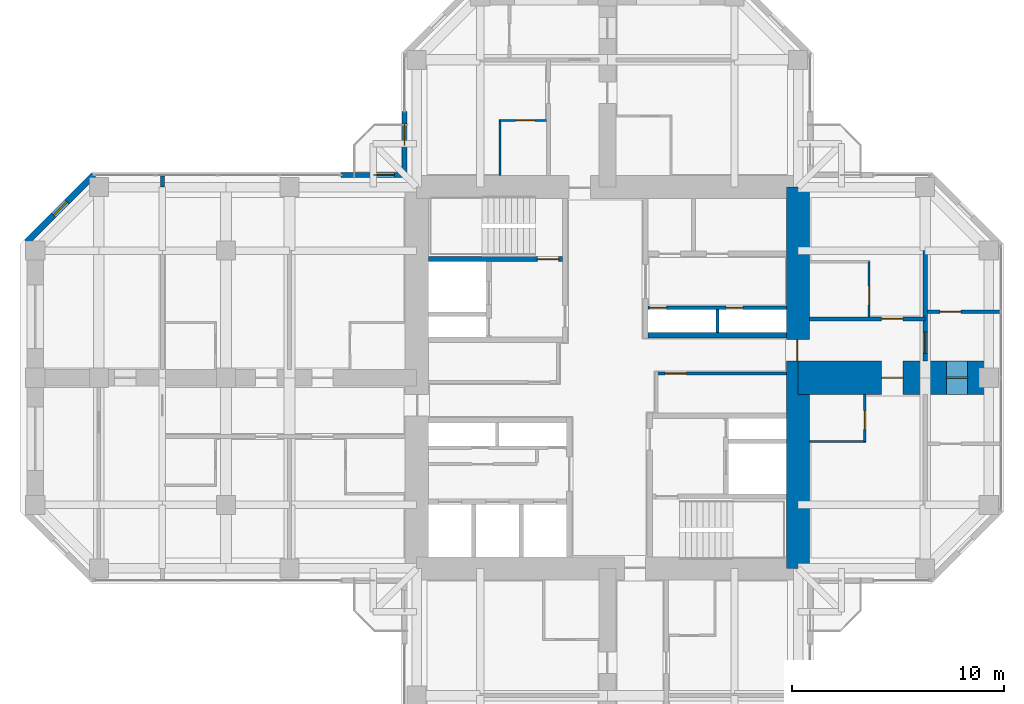
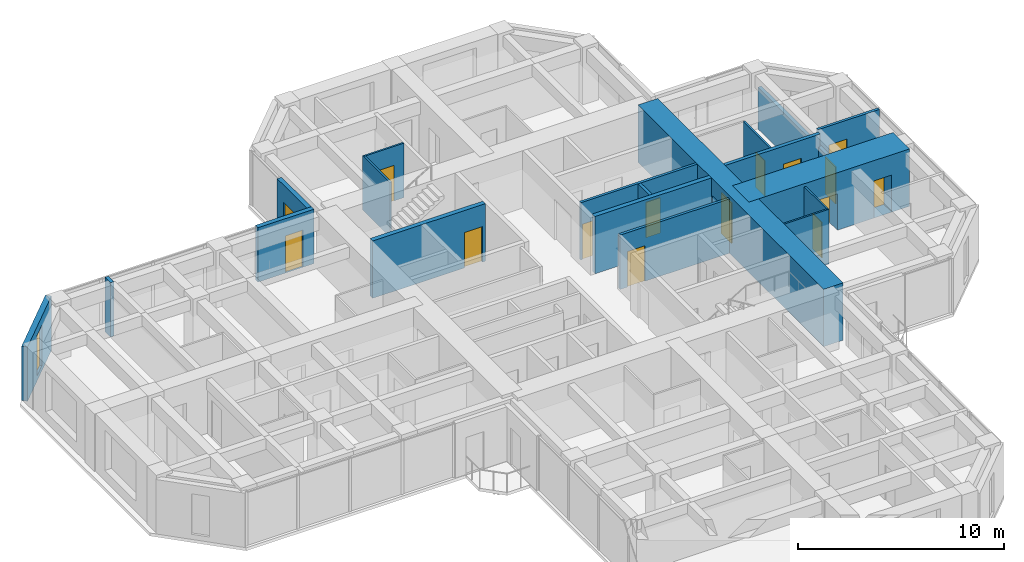
# One storey, part 11 of 14: 19 walls, 15 doors, 1 window, 16 openings.
"""IFC4 building model written with IfcOpenShell, lengths in metres."""

import ifcopenshell
import ifcopenshell.guid

model = None  # the IFC model being written
_history = None  # IfcOwnerHistory: only IFC2X3 demands one
_inside = {}  # id of a spatial element -> (the spatial element, [elements in it])
_under = {}  # id of a project, library or spatial element -> (it, [spatial elements below it])
_declared = {}  # id of a project -> (the project, [libraries it declares])
_typed = {}  # id of a type object -> (the type object, [elements of that type])
_made_of = {}  # id of a material, layer set ... -> (it, [elements and type objects made of it])


def new_model(schema):
    """Start an empty IFC model of exactly this schema.

    Asked for "IFC4X3", IfcOpenShell would pick the latest addendum, in which some entities
    have other attributes; the version numbers below select the first issue.
    IFC2X3 requires an IfcOwnerHistory on every rooted entity: one is made here for all.
    """
    global model, _history
    if schema == "IFC4X3":
        model = ifcopenshell.file(schema_version=(4, 3, 0, 0))
    else:
        model = ifcopenshell.file(schema=schema)
    _inside.clear()
    _under.clear()
    _declared.clear()
    _typed.clear()
    _made_of.clear()
    _history = None
    if model.schema == "IFC2X3":
        org = make("IfcOrganization", Name="unknown")
        user = make(
            "IfcPersonAndOrganization",
            ThePerson=make("IfcPerson", FamilyName="unknown"),
            TheOrganization=org,
        )
        app = make(
            "IfcApplication",
            ApplicationDeveloper=org,
            Version="unknown",
            ApplicationFullName="unknown",
            ApplicationIdentifier="unknown",
        )
        _history = make(
            "IfcOwnerHistory",
            OwningUser=user,
            OwningApplication=app,
            ChangeAction="ADDED",
            CreationDate=0,
        )
    return model


def make(cls, **values):
    """One entity of the class cls with the attributes given. An attribute that is None is left unset."""
    return model.create_entity(
        cls, **{name: value for name, value in values.items() if value is not None}
    )


def rooted(cls, **values):
    """An entity with a GlobalId (a new one), such as an element, a storey or a relation."""
    return make(cls, GlobalId=ifcopenshell.guid.new(), OwnerHistory=_history, **values)


def si_unit(unit_type, name, prefix=None):
    """IfcSIUnit, for example si_unit("LENGTHUNIT", "METRE", prefix="MILLI")."""
    return make("IfcSIUnit", UnitType=unit_type, Prefix=prefix, Name=name)


def assignment(units):
    """IfcUnitAssignment: the units of a project."""
    return None if units is None else make("IfcUnitAssignment", Units=units)


def point(xyz):
    """IfcCartesianPoint."""
    return None if xyz is None else make("IfcCartesianPoint", Coordinates=xyz)


def direction(xyz):
    """IfcDirection."""
    return None if xyz is None else make("IfcDirection", DirectionRatios=xyz)


def frame(location, z_axis=None, x_axis=None):
    """IfcAxis2Placement3D, a coordinate frame: its origin and axes. An axis left out is left unset."""
    return make(
        "IfcAxis2Placement3D",
        Location=point(location),
        Axis=direction(z_axis),
        RefDirection=direction(x_axis),
    )


def frame_2d(location, x_axis=None):
    """IfcAxis2Placement2D, a coordinate frame in the plane: its origin and x axis."""
    return make(
        "IfcAxis2Placement2D", Location=point(location), RefDirection=direction(x_axis)
    )


def origin():
    """The frame at (0, 0, 0) with its axes left unset."""
    return frame((0.0, 0.0, 0.0))


def place(relative_to, where):
    """IfcLocalPlacement: puts the frame where relative to a parent placement (None: the world)."""
    return make(
        "IfcLocalPlacement", PlacementRelTo=relative_to, RelativePlacement=where
    )


def context(
    kind, dimensions, precision=None, world=None, true_north=None, identifier=None
):
    """IfcGeometricRepresentationContext, for example the 3D "Model" context."""
    return make(
        "IfcGeometricRepresentationContext",
        ContextIdentifier=identifier,
        ContextType=kind,
        CoordinateSpaceDimension=dimensions,
        Precision=precision,
        WorldCoordinateSystem=world,
        TrueNorth=true_north,
    )


def subcontext(parent, identifier, kind, view, scale=None):
    """IfcGeometricRepresentationSubContext, for example "Body" below "Model"."""
    return make(
        "IfcGeometricRepresentationSubContext",
        ContextIdentifier=identifier,
        ContextType=kind,
        ParentContext=parent,
        TargetScale=scale,
        TargetView=view,
    )


def project(units=None, contexts=None):
    """IfcProject with its units and contexts."""
    return rooted(
        "IfcProject",
        Name="project",
        RepresentationContexts=contexts,
        UnitsInContext=assignment(units),
    )


def spatial(cls, under=None, at=None, **own):
    """A site, building, storey or space (cls), placed at a placement, below another one or the project."""
    s = rooted(cls, ObjectPlacement=at, **own)
    if under is not None:
        _under.setdefault(under.id(), (under, []))[1].append(s)
    return s


def profile(cls, at=None, kind="AREA", **sizes):
    """A parametric profile (cls). Its sizes go by their IFC names, for example OverallWidth=200.0."""
    return make(cls, ProfileType=kind, Position=at, **sizes)


def rectangle(**sizes):
    """IfcRectangleProfileDef."""
    return profile("IfcRectangleProfileDef", **sizes)


def hollow_rectangle(**sizes):
    """IfcRectangleHollowProfileDef."""
    return profile("IfcRectangleHollowProfileDef", **sizes)


def extrude(swept, where, along, depth):
    """IfcExtrudedAreaSolid: the profile swept, set in the frame where, extruded along a direction by depth."""
    return make(
        "IfcExtrudedAreaSolid",
        SweptArea=swept,
        Position=where,
        ExtrudedDirection=direction(along),
        Depth=depth,
    )


def shape(context_of_items, identifier, shape_type, items):
    """IfcShapeRepresentation: the items that make up one representation, for example the "Body"."""
    return make(
        "IfcShapeRepresentation",
        ContextOfItems=context_of_items,
        RepresentationIdentifier=identifier,
        RepresentationType=shape_type,
        Items=items,
    )


def material(Name=None, Category=None):
    """IfcMaterial."""
    return make("IfcMaterial", Name=Name, Category=Category)


def layer(
    of_material, thickness, ventilated=None, Name=None, Category=None, Priority=None
):
    """IfcMaterialLayer: one layer of a wall or slab, of a material (None: an air gap)."""
    return make(
        "IfcMaterialLayer",
        Material=of_material,
        LayerThickness=thickness,
        IsVentilated=ventilated,
        Name=Name,
        Category=Category,
        Priority=Priority,
    )


def layer_set(layers, Name=None):
    """IfcMaterialLayerSet."""
    return make("IfcMaterialLayerSet", MaterialLayers=layers, LayerSetName=Name)


def constituent(of_material, Name=None, Category=None, fraction=None):
    """IfcMaterialConstituent: one of the materials an element consists of."""
    return make(
        "IfcMaterialConstituent",
        Name=Name,
        Material=of_material,
        Fraction=fraction,
        Category=Category,
    )


def constituent_set(constituents=None, Name=None):
    """IfcMaterialConstituentSet."""
    return make(
        "IfcMaterialConstituentSet", Name=Name, MaterialConstituents=constituents
    )


def made_of(thing, what):
    """Note that an element or type object is made of a material, layer set ...; save() writes the relation."""
    if what is not None:
        _made_of.setdefault(what.id(), (what, []))[1].append(thing)
    return thing


def type_object(cls, material=None, **own):
    """A type object (cls), such as IfcWallType, which elements share."""
    return made_of(rooted(cls, **own), material)


def element(
    cls,
    number,
    at=None,
    inside=None,
    cuts=None,
    type_object=None,
    material=None,
    context=None,
    identifier="Body",
    shape_type=None,
    held_by="IfcProductDefinitionShape",
    body=None,
    shapes=None,
    **own,
):
    """One element of the class cls, such as IfcWall. Its Tag is "e" and its number.

    at: its placement. inside: the storey or other place that contains it. cuts: it is an
    opening in that element (IfcRelVoidsElement). A single representation is given by context,
    identifier, shape_type and body (its items); several are given by shapes. held_by: the class
    of the entity that holds the representations. save() writes the other relations.
    """
    e = rooted(cls, Tag="e%d" % number, ObjectPlacement=at, **own)
    if body is not None:
        shapes = [shape(context, identifier, shape_type, body)]
    if shapes is not None:
        e.Representation = make(held_by, Representations=shapes)
    if inside is not None:
        _inside.setdefault(inside.id(), (inside, []))[1].append(e)
    if cuts is not None:
        rooted(
            "IfcRelVoidsElement", RelatingBuildingElement=cuts, RelatedOpeningElement=e
        )
    if type_object is not None:
        _typed.setdefault(type_object.id(), (type_object, []))[1].append(e)
    return made_of(e, material)


def fill(opening, filler):
    """IfcRelFillsElement: the door or window that sits in an opening."""
    return rooted(
        "IfcRelFillsElement",
        RelatingOpeningElement=opening,
        RelatedBuildingElement=filler,
    )


def aggregate(whole, parts):
    """IfcRelAggregates: a whole, such as a stair, and the parts it consists of."""
    return rooted("IfcRelAggregates", RelatingObject=whole, RelatedObjects=parts)


def save(model, path):
    """Write the relations noted so far, then the file.

    IfcRelAggregates (storeys below a building ...), IfcRelContainedInSpatialStructure (elements
    in a storey), IfcRelDefinesByType, IfcRelAssociatesMaterial and IfcRelDeclares: one each for
    every whole, place, type object, material and project.
    """
    for whole, parts in _under.values():
        aggregate(whole, parts)
    for where, things in _inside.values():
        rooted(
            "IfcRelContainedInSpatialStructure",
            RelatedElements=things,
            RelatingStructure=where,
        )
    for kind, things in _typed.values():
        rooted("IfcRelDefinesByType", RelatedObjects=things, RelatingType=kind)
    for what, things in _made_of.values():
        rooted("IfcRelAssociatesMaterial", RelatedObjects=things, RelatingMaterial=what)
    for by, libraries in _declared.values():
        rooted("IfcRelDeclares", RelatingContext=by, RelatedDefinitions=libraries)
    model.write(path)


model = new_model("IFC4")

# Units and contexts
model_context = context("Model", 3, precision=1e-05, world=origin(), true_north=direction((0.0, 1.0)))
body_context = subcontext(model_context, "Body", "Model", "MODEL_VIEW")
ifc_project = project(units=[si_unit("LENGTHUNIT", "METRE"), si_unit("AREAUNIT", "SQUARE_METRE"), si_unit("VOLUMEUNIT", "CUBIC_METRE"), si_unit("PLANEANGLEUNIT", "RADIAN"), si_unit("MASSUNIT", "GRAM", prefix="KILO")], contexts=[model_context])

# Site, building, storey
site_placement = place(None, origin())
site = spatial("IfcSite", under=ifc_project, at=site_placement, CompositionType="ELEMENT")
building_placement = place(site_placement, origin())
building = spatial("IfcBuilding", under=site, at=building_placement, Name="Torre Cruceta", CompositionType="ELEMENT")
storey_placement = place(building_placement, frame((0.0, 0.0, 172.89990234375)))
storey = spatial("IfcBuildingStorey", under=building, at=storey_placement, Name="L42", CompositionType="ELEMENT", Elevation=172.89990234375)

# Wall
ifc_material_1 = material(Name="Water-resistant plasterboard on steel studs", Category="steel")
ifc_layer_1 = layer(ifc_material_1, 0.10009765625)
ifc_layer_set_1 = layer_set([ifc_layer_1], Name="Water-resistant plasterboard on steel studs")
wall_type_1 = type_object("IfcWallType", Name="BATHROOM WALL 100", PredefinedType="PARTITIONING", material=ifc_layer_set_1)
wall_1_placement = place(storey_placement, frame((-5.074951171875, 9.550048828125, 0.0), z_axis=(0.0, 0.0, 1.0), x_axis=(0.0, 1.0, 0.0)))
element("IfcWall", 1, at=wall_1_placement, inside=storey, type_object=wall_type_1, Name="PT4 L42-N-U1LBB", PredefinedType="PARTITIONING", context=body_context, shape_type="SweptSolid", body=[
    extrude(rectangle(XDim=2.64990234375, YDim=0.10009765625, at=frame_2d((1.324951171875, 0.0))), origin(), (0.0, 0.0, 1.0), 3.22021484375),
])

# Wall, opening, door
wall_2_placement = place(storey_placement, frame((-2.875, 12.14990234375, 0.0), z_axis=(0.0, 0.0, 1.0), x_axis=(-1.0, 0.0, 0.0)))
wall_2 = element("IfcWall", 2, at=wall_2_placement, inside=storey, type_object=wall_type_1, Name="PT4 L42-N-U1LBS", PredefinedType="PARTITIONING", context=body_context, shape_type="SweptSolid", body=[
    extrude(rectangle(XDim=2.199951171875, YDim=0.10009765625, at=frame_2d((1.10009765625, 0.0))), origin(), (0.0, 0.0, 1.0), 3.22021484375),
])
opening_1_placement = place(wall_2_placement, frame((0.550048828125, 0.0, 0.0)))
opening_1 = element("IfcOpeningElement", 3, at=opening_1_placement, cuts=wall_2, Name="Opening D7", PredefinedType="OPENING", context=body_context, shape_type="SweptSolid", body=[
    extrude(rectangle(XDim=0.89990234375, YDim=2.10009765625, at=frame_2d((0.449951171875, 1.050048828125))), frame((0.0, 0.06005859375, 0.0), z_axis=(0.0, -1.0, 0.0), x_axis=(1.0, 0.0, 0.0)), (0.0, 0.0, 1.0), 0.1201171875),
])
ifc_material_2 = material(Name="Timber door", Category="wood")
door_type_1 = type_object("IfcDoorType", Name="BATHROOM DOOR 900X2100", OperationType="SINGLE_SWING_LEFT", PredefinedType="DOOR", material=ifc_material_2)
door_1_placement = place(opening_1_placement, origin())
door_1 = element("IfcDoor", 4, at=door_1_placement, inside=storey, type_object=door_type_1, Name="D7 L42-N-U1LBS-D1", OperationType="SINGLE_SWING_LEFT", OverallHeight=2.10009765625, OverallWidth=0.89990234375, PredefinedType="DOOR", context=body_context, shape_type="SweptSolid", body=[
    extrude(rectangle(XDim=0.89990234375, YDim=2.10009765625, at=frame_2d((0.449951171875, 1.050048828125))), frame((0.0, 0.02490234375, 0.0), z_axis=(0.0, -1.0, 0.0), x_axis=(1.0, 0.0, 0.0)), (0.0, 0.0, 1.0), 0.050048828125),
])
fill(opening_1, door_1)

wall_3_placement = place(storey_placement, frame((12.35009765625, 2.875, 0.0), z_axis=(0.0, 0.0, 1.0), x_axis=(0.0, 1.0, 0.0)))
wall_3 = element("IfcWall", 5, at=wall_3_placement, inside=storey, type_object=wall_type_1, Name="PT4 L42-E-U1LBS", PredefinedType="PARTITIONING", context=body_context, shape_type="SweptSolid", body=[
    extrude(rectangle(XDim=2.60009765625, YDim=0.10009765625, at=frame_2d((1.300048828125, 0.0))), origin(), (0.0, 0.0, 1.0), 3.22021484375),
])
opening_2_placement = place(wall_3_placement, frame((0.550048828125, 0.0, 0.0)))
opening_2 = element("IfcOpeningElement", 6, at=opening_2_placement, cuts=wall_3, Name="Opening D7", PredefinedType="OPENING", context=body_context, shape_type="SweptSolid", body=[
    extrude(rectangle(XDim=0.89990234375, YDim=2.10009765625, at=frame_2d((0.449951171875, 1.050048828125))), frame((0.0, 0.06005859375, 0.0), z_axis=(0.0, -1.0, 0.0), x_axis=(1.0, 0.0, 0.0)), (0.0, 0.0, 1.0), 0.1201171875),
])
door_2_placement = place(opening_2_placement, origin())
door_2 = element("IfcDoor", 7, at=door_2_placement, inside=storey, type_object=door_type_1, Name="D7 L42-E-U1LBS-D1", OperationType="SINGLE_SWING_LEFT", OverallHeight=2.10009765625, OverallWidth=0.89990234375, PredefinedType="DOOR", context=body_context, shape_type="SweptSolid", body=[
    extrude(rectangle(XDim=0.89990234375, YDim=2.10009765625, at=frame_2d((0.449951171875, 1.050048828125))), frame((0.0, 0.02490234375, 0.0), z_axis=(0.0, -1.0, 0.0), x_axis=(1.0, 0.0, 0.0)), (0.0, 0.0, 1.0), 0.050048828125),
])
fill(opening_2, door_2)

# Wall
wall_4_placement = place(storey_placement, frame((9.550048828125, -3.0, 0.0), z_axis=(0.0, 0.0, 1.0), x_axis=(1.0, 0.0, 0.0)))
element("IfcWall", 8, at=wall_4_placement, inside=storey, type_object=wall_type_1, Name="PT4 L42-E-U1RBB", PredefinedType="PARTITIONING", context=body_context, shape_type="SweptSolid", body=[
    extrude(rectangle(XDim=2.64990234375, YDim=0.10009765625, at=frame_2d((1.324951171875, 0.0))), origin(), (0.0, 0.0, 1.0), 3.22021484375),
])

# Wall, opening, door
wall_5_placement = place(storey_placement, frame((12.14990234375, -3.0, 0.0), z_axis=(0.0, 0.0, 1.0), x_axis=(0.0, 1.0, 0.0)))
wall_5 = element("IfcWall", 9, at=wall_5_placement, inside=storey, type_object=wall_type_1, Name="PT4 L42-E-U1RBS", PredefinedType="PARTITIONING", context=body_context, shape_type="SweptSolid", body=[
    extrude(rectangle(XDim=2.199951171875, YDim=0.10009765625, at=frame_2d((1.10009765625, 0.0))), origin(), (0.0, 0.0, 1.0), 3.22021484375),
])
opening_3_placement = place(wall_5_placement, frame((0.550048828125, 0.0, 0.0)))
opening_3 = element("IfcOpeningElement", 10, at=opening_3_placement, cuts=wall_5, Name="Opening D7", PredefinedType="OPENING", context=body_context, shape_type="SweptSolid", body=[
    extrude(rectangle(XDim=0.89990234375, YDim=2.10009765625, at=frame_2d((0.449951171875, 1.050048828125))), frame((0.0, 0.06005859375, 0.0), z_axis=(0.0, -1.0, 0.0), x_axis=(1.0, 0.0, 0.0)), (0.0, 0.0, 1.0), 0.1201171875),
])
door_3_placement = place(opening_3_placement, origin())
door_3 = element("IfcDoor", 11, at=door_3_placement, inside=storey, type_object=door_type_1, Name="D7 L42-E-U1RBS-D1", OperationType="SINGLE_SWING_LEFT", OverallHeight=2.10009765625, OverallWidth=0.89990234375, PredefinedType="DOOR", context=body_context, shape_type="SweptSolid", body=[
    extrude(rectangle(XDim=0.89990234375, YDim=2.10009765625, at=frame_2d((0.449951171875, 1.050048828125))), frame((0.0, 0.02490234375, 0.0), z_axis=(0.0, -1.0, 0.0), x_axis=(1.0, 0.0, 0.0)), (0.0, 0.0, 1.0), 0.050048828125),
])
fill(opening_3, door_3)

# Wall
ifc_material_3 = material(Name="Concrete G60 (fck 60 MPa)", Category="concrete")
ifc_layer_2 = layer(ifc_material_3, 0.25)
ifc_layer_set_2 = layer_set([ifc_layer_2], Name="Concrete G60 (fck 60 MPa)")
wall_type_2 = type_object("IfcWallType", Name="CORE INNER WALL 250 G60", PredefinedType="SHEAR", material=ifc_layer_set_2)
wall_6_placement = place(storey_placement, frame((1.925048828125, 2.0, 0.0), z_axis=(0.0, 0.0, 1.0), x_axis=(1.0, 0.0, 0.0)))
element("IfcWall", 12, at=wall_6_placement, inside=storey, type_object=wall_type_2, Name="CW4 L42 NE-CV", PredefinedType="SHEAR", context=body_context, shape_type="SweptSolid", body=[
    extrude(rectangle(XDim=6.52490234375, YDim=0.25, at=frame_2d((3.262451171875, 0.0))), origin(), (0.0, 0.0, 1.0), 3.400146484375),
])

# Wall, opening, door
wall_7_placement = place(storey_placement, frame((-2.125, 5.60009765625, 0.0), z_axis=(0.0, 0.0, 1.0), x_axis=(-1.0, 0.0, 0.0)))
wall_7 = element("IfcWall", 13, at=wall_7_placement, inside=storey, type_object=wall_type_2, Name="CW4 L42 NW-SV", PredefinedType="SHEAR", context=body_context, shape_type="SweptSolid", body=[
    extrude(rectangle(XDim=6.324951171875, YDim=0.25, at=frame_2d((3.16259765625, 0.0))), origin(), (0.0, 0.0, 1.0), 3.400146484375),
])
opening_4_placement = place(wall_7_placement, frame((0.175048828125, 0.0, 0.0)))
opening_4 = element("IfcOpeningElement", 14, at=opening_4_placement, cuts=wall_7, Name="Opening D3", PredefinedType="OPENING", context=body_context, shape_type="SweptSolid", body=[
    extrude(rectangle(XDim=1.0, YDim=2.10009765625, at=frame_2d((0.5, 1.050048828125))), frame((0.0, 0.135009765625, 0.0), z_axis=(0.0, -1.0, 0.0), x_axis=(1.0, 0.0, 0.0)), (0.0, 0.0, 1.0), 0.27001953125),
])
ifc_material_4 = material(Name="Steel DX51D", Category="steel")
ifc_constituent_1 = constituent(ifc_material_4, Name="Leaf and frame")
ifc_material_5 = material(Name="Polyester powder coating", Category="paint")
ifc_constituent_2 = constituent(ifc_material_5, Name="Finish")
ifc_constituent_set_1 = constituent_set(constituents=[ifc_constituent_1, ifc_constituent_2], Name="Steel fire door")
door_type_2 = type_object("IfcDoorType", Name="FIRE DOOR 1000X2100", OperationType="SINGLE_SWING_LEFT", PredefinedType="DOOR", material=ifc_constituent_set_1)
door_4_placement = place(opening_4_placement, frame((1.0, 0.0, 0.0), z_axis=(0.0, 0.0, 1.0), x_axis=(-1.0, 0.0, 0.0)))
door_4 = element("IfcDoor", 15, at=door_4_placement, inside=storey, type_object=door_type_2, Name="D3 L42 NW-STAIR", OperationType="SINGLE_SWING_RIGHT", OverallHeight=2.10009765625, OverallWidth=1.0, PredefinedType="DOOR", context=body_context, shape_type="SweptSolid", body=[
    extrude(rectangle(XDim=1.0, YDim=2.10009765625, at=frame_2d((0.5, 1.050048828125))), frame((0.0, 0.025146484375, 0.0), z_axis=(0.0, -1.0, 0.0), x_axis=(1.0, 0.0, 0.0)), (0.0, 0.0, 1.0), 0.050048828125),
])
fill(opening_4, door_4)

ifc_material_6 = material(Name="Concrete G60 (fck 60 MPa)", Category="concrete")
ifc_layer_3 = layer(ifc_material_6, 1.10009765625)
ifc_layer_set_3 = layer_set([ifc_layer_3], Name="Concrete G60 (fck 60 MPa)")
wall_type_3 = type_object("IfcWallType", Name="CORE WALL 1100 G60", PredefinedType="SHEAR", material=ifc_layer_set_3)
wall_8_placement = place(storey_placement, frame((9.0, -9.0, 0.0), z_axis=(0.0, 0.0, 1.0), x_axis=(0.0, 1.0, 0.0)))
wall_8 = element("IfcWall", 16, at=wall_8_placement, inside=storey, type_object=wall_type_3, Name="CW2 L42 CW-E", PredefinedType="SHEAR", context=body_context, shape_type="SweptSolid", body=[
    extrude(rectangle(XDim=18.0, YDim=1.10009765625, at=frame_2d((9.0, 0.0))), origin(), (0.0, 0.0, 1.0), 3.400146484375),
])
opening_5_placement = place(wall_8_placement, frame((9.800048828125, 0.0, 0.0)))
opening_5 = element("IfcOpeningElement", 17, at=opening_5_placement, cuts=wall_8, Name="Opening D4", PredefinedType="OPENING", context=body_context, shape_type="SweptSolid", body=[
    extrude(rectangle(XDim=1.0, YDim=2.39990234375, at=frame_2d((0.5, 1.199951171875))), frame((0.0, 0.56005859375, 0.0), z_axis=(0.0, -1.0, 0.0), x_axis=(1.0, 0.0, 0.0)), (0.0, 0.0, 1.0), 1.1201171875),
])
ifc_material_7 = material(Name="Steel DX51D", Category="steel")
ifc_constituent_3 = constituent(ifc_material_7, Name="Leaf and frame")
ifc_material_8 = material(Name="Polyester powder coating", Category="paint")
ifc_constituent_4 = constituent(ifc_material_8, Name="Finish")
ifc_constituent_set_2 = constituent_set(constituents=[ifc_constituent_3, ifc_constituent_4], Name="Steel fire door")
door_type_3 = type_object("IfcDoorType", Name="CORE ARM DOOR 1000X2400", OperationType="SINGLE_SWING_RIGHT", PredefinedType="DOOR", material=ifc_constituent_set_2)
door_5_placement = place(opening_5_placement, origin())
door_5 = element("IfcDoor", 18, at=door_5_placement, inside=storey, type_object=door_type_3, Name="D4 L42 CW-E", OperationType="SINGLE_SWING_RIGHT", OverallHeight=2.39990234375, OverallWidth=1.0, PredefinedType="DOOR", context=body_context, shape_type="SweptSolid", body=[
    extrude(rectangle(XDim=1.0, YDim=2.39990234375, at=frame_2d((0.5, 1.199951171875))), frame((0.0, 0.05517578125, 0.0), z_axis=(0.0, -1.0, 0.0), x_axis=(1.0, 0.0, 0.0)), (0.0, 0.0, 1.0), 0.050048828125),
])
fill(opening_5, door_5)

ifc_material_9 = material(Name="Concrete G25 (fck 25 MPa)", Category="concrete")
ifc_layer_4 = layer(ifc_material_9, 0.199951171875)
ifc_layer_set_4 = layer_set([ifc_layer_4], Name="Concrete G25 (fck 25 MPa)")
wall_type_4 = type_object("IfcWallType", Name="CORRIDOR WALL 200", PredefinedType="SOLIDWALL", material=ifc_layer_set_4)
wall_9_placement = place(storey_placement, frame((9.550048828125, 2.77490234375, 0.0), z_axis=(0.0, 0.0, 1.0), x_axis=(1.0, 0.0, 0.0)))
wall_9 = element("IfcWall", 19, at=wall_9_placement, inside=storey, type_object=wall_type_4, Name="PT3 L42-E-CL", PredefinedType="SOLIDWALL", context=body_context, shape_type="SweptSolid", body=[
    extrude(rectangle(XDim=5.449951171875, YDim=0.199951171875, at=frame_2d((2.72509765625, 0.0))), origin(), (0.0, 0.0, 1.0), 3.22021484375),
])
opening_6_placement = place(wall_9_placement, frame((3.39990234375, 0.0, 0.0)))
opening_6 = element("IfcOpeningElement", 20, at=opening_6_placement, cuts=wall_9, Name="Opening D6", PredefinedType="OPENING", context=body_context, shape_type="SweptSolid", body=[
    extrude(rectangle(XDim=1.0, YDim=2.14990234375, at=frame_2d((0.5, 1.074951171875))), frame((0.0, 0.10986328125, 0.0), z_axis=(0.0, -1.0, 0.0), x_axis=(1.0, 0.0, 0.0)), (0.0, 0.0, 1.0), 0.219970703125),
])
ifc_material_10 = material(Name="Timber fire door", Category="wood")
door_type_4 = type_object("IfcDoorType", Name="UNIT ENTRANCE DOOR 1000X2150", OperationType="SINGLE_SWING_LEFT", PredefinedType="DOOR", material=ifc_material_10)
door_6_placement = place(opening_6_placement, origin())
door_6 = element("IfcDoor", 21, at=door_6_placement, inside=storey, type_object=door_type_4, Name="D6 L42-E-CL-D1", OperationType="SINGLE_SWING_LEFT", OverallHeight=2.14990234375, OverallWidth=1.0, PredefinedType="DOOR", context=body_context, shape_type="SweptSolid", body=[
    extrude(rectangle(XDim=1.0, YDim=2.14990234375, at=frame_2d((0.5, 1.074951171875))), frame((0.0, 0.02490234375, 0.0), z_axis=(0.0, -1.0, 0.0), x_axis=(1.0, 0.0, 0.0)), (0.0, 0.0, 1.0), 0.050048828125),
])
fill(opening_6, door_6)

# Wall, opening, window
ifc_material_11 = material(Name="Concrete G30 (fck 30 MPa)", Category="concrete")
ifc_layer_5 = layer(ifc_material_11, 0.300048828125)
ifc_layer_set_5 = layer_set([ifc_layer_5], Name="Concrete G30 (fck 30 MPa)")
wall_type_5 = type_object("IfcWallType", Name="EXPOSED CONCRETE FACADE WALL 300", PredefinedType="SOLIDWALL", material=ifc_layer_set_5)
wall_10_placement = place(storey_placement, frame((-24.236083984375, 9.570068359375, 0.0), z_axis=(0.0, 0.0, 1.0), x_axis=(-0.707079499254, -0.707134062067, 0.0)))
wall_10 = element("IfcWall", 22, at=wall_10_placement, inside=storey, type_object=wall_type_5, Name="EW1 facade wall L42 W chamfer 11", PredefinedType="SOLIDWALL", context=body_context, shape_type="SweptSolid", body=[
    extrude(rectangle(XDim=4.474609375, YDim=0.300048828125, at=frame_2d((2.2373046875, 0.0))), origin(), (0.0, 0.0, 1.0), 3.22021484375),
])
opening_7_placement = place(wall_10_placement, frame((1.787109375, 0.0, 0.300048828125)))
opening_7 = element("IfcOpeningElement", 23, at=opening_7_placement, cuts=wall_10, Name="Opening WN5", PredefinedType="OPENING", context=body_context, shape_type="SweptSolid", body=[
    extrude(rectangle(XDim=0.89990234375, YDim=2.39990234375, at=frame_2d((0.449951171875, 1.199951171875))), frame((0.0, 0.159912109375, 0.0), z_axis=(0.0, -1.0, 0.0), x_axis=(1.0, 0.0, 0.0)), (0.0, 0.0, 1.0), 0.320068359375),
])
ifc_material_12 = material(Name="Aluminium window frame", Category="aluminium")
ifc_constituent_5 = constituent(ifc_material_12, Name="Frame")
ifc_material_13 = material(Name="Laminated insulating glass unit, low-iron clear", Category="glass")
ifc_constituent_6 = constituent(ifc_material_13, Name="Glazing")
ifc_constituent_set_3 = constituent_set(constituents=[ifc_constituent_5, ifc_constituent_6], Name="Aluminium window")
window_type = type_object("IfcWindowType", Name="CHAMFER SLOT WINDOW 900X2400", PartitioningType="SINGLE_PANEL", PredefinedType="WINDOW", material=ifc_constituent_set_3)
window_placement = place(opening_7_placement, origin())
window = element("IfcWindow", 24, at=window_placement, inside=storey, type_object=window_type, Name="WN5 L42 W 1", OverallHeight=2.39990234375, OverallWidth=0.89990234375, PartitioningType="SINGLE_PANEL", PredefinedType="WINDOW", context=body_context, shape_type="SweptSolid", body=[
    extrude(hollow_rectangle(XDim=0.89990234375, YDim=2.39990234375, WallThickness=0.06005859375, at=frame_2d((0.449951171875, 1.199951171875))), frame((0.0, 0.030029296875, 0.0), z_axis=(0.0, -1.0, 0.0), x_axis=(1.0, 0.0, 0.0)), (0.0, 0.0, 1.0), 0.06005859375),
    extrude(rectangle(XDim=0.77880859375, YDim=2.27880859375, at=frame_2d((0.449951171875, 1.199951171875))), frame((0.0, 0.030029296875, 0.0), z_axis=(0.0, -1.0, 0.0), x_axis=(1.0, 0.0, 0.0)), (0.0, 0.0, 1.0), 0.06005859375),
])
fill(opening_7, window)

# Wall, opening, door
ifc_material_14 = material(Name="Plasterboard on steel studs", Category="steel")
ifc_layer_6 = layer(ifc_material_14, 0.14990234375)
ifc_layer_set_6 = layer_set([ifc_layer_6], Name="Plasterboard on steel studs")
wall_type_6 = type_object("IfcWallType", Name="PARTITION 150", PredefinedType="PARTITIONING", material=ifc_layer_set_6)
wall_11_placement = place(storey_placement, frame((2.324951171875, 0.199951171875, 0.0), z_axis=(0.0, 0.0, 1.0), x_axis=(1.0, 0.0, 0.0)))
wall_11 = element("IfcWall", 25, at=wall_11_placement, inside=storey, type_object=wall_type_6, Name="PT1 L42-CORE-LEGE-S-W1", PredefinedType="PARTITIONING", context=body_context, shape_type="SweptSolid", body=[
    extrude(rectangle(XDim=6.125, YDim=0.14990234375, at=frame_2d((3.0625, 0.0))), origin(), (0.0, 0.0, 1.0), 3.22021484375),
])
opening_8_placement = place(wall_11_placement, frame((0.39990234375, 0.0, 0.0)))
opening_8 = element("IfcOpeningElement", 26, at=opening_8_placement, cuts=wall_11, Name="Opening D3", PredefinedType="OPENING", context=body_context, shape_type="SweptSolid", body=[
    extrude(rectangle(XDim=1.0, YDim=2.10009765625, at=frame_2d((0.5, 1.050048828125))), frame((0.0, 0.0849609375, 0.0), z_axis=(0.0, -1.0, 0.0), x_axis=(1.0, 0.0, 0.0)), (0.0, 0.0, 1.0), 0.169921875),
])
door_7_placement = place(opening_8_placement, frame((1.0, 0.0, 0.0), z_axis=(0.0, 0.0, 1.0), x_axis=(-1.0, 0.0, 0.0)))
door_7 = element("IfcDoor", 27, at=door_7_placement, inside=storey, type_object=door_type_2, Name="D3 L42-CORE-LEGE-S-W1-D1", OperationType="SINGLE_SWING_RIGHT", OverallHeight=2.10009765625, OverallWidth=1.0, PredefinedType="DOOR", context=body_context, shape_type="SweptSolid", body=[
    extrude(rectangle(XDim=1.0, YDim=2.10009765625, at=frame_2d((0.5, 1.050048828125))), frame((0.0, 0.025146484375, 0.0), z_axis=(0.0, -1.0, 0.0), x_axis=(1.0, 0.0, 0.0)), (0.0, 0.0, 1.0), 0.050048828125),
])
fill(opening_8, door_7)

wall_12_placement = place(storey_placement, frame((15.10009765625, 3.117919921875, 0.0), z_axis=(0.0, 0.0, 1.0), x_axis=(1.0, 0.0, 0.0)))
wall_12 = element("IfcWall", 28, at=wall_12_placement, inside=storey, type_object=wall_type_6, Name="PT1 L42-E-ENDX", PredefinedType="PARTITIONING", context=body_context, shape_type="SweptSolid", body=[
    extrude(rectangle(XDim=3.429931640625, YDim=0.14990234375, at=frame_2d((1.71484375, 0.0))), origin(), (0.0, 0.0, 1.0), 3.22021484375),
])
opening_9_placement = place(wall_12_placement, frame((0.60009765625, 0.0, 0.0)))
opening_9 = element("IfcOpeningElement", 29, at=opening_9_placement, cuts=wall_12, Name="Opening D3", PredefinedType="OPENING", context=body_context, shape_type="SweptSolid", body=[
    extrude(rectangle(XDim=1.0, YDim=2.10009765625, at=frame_2d((0.5, 1.050048828125))), frame((0.0, 0.0849609375, 0.0), z_axis=(0.0, -1.0, 0.0), x_axis=(1.0, 0.0, 0.0)), (0.0, 0.0, 1.0), 0.169921875),
])
door_8_placement = place(opening_9_placement, frame((1.0, 0.0, 0.0), z_axis=(0.0, 0.0, 1.0), x_axis=(-1.0, 0.0, 0.0)))
door_8 = element("IfcDoor", 30, at=door_8_placement, inside=storey, type_object=door_type_2, Name="D3 L42-E-ENDX-D1", OperationType="SINGLE_SWING_LEFT", OverallHeight=2.10009765625, OverallWidth=1.0, PredefinedType="DOOR", context=body_context, shape_type="SweptSolid", body=[
    extrude(rectangle(XDim=1.0, YDim=2.10009765625, at=frame_2d((0.5, 1.050048828125))), frame((0.0, 0.025146484375, 0.0), z_axis=(0.0, -1.0, 0.0), x_axis=(1.0, 0.0, 0.0)), (0.0, 0.0, 1.0), 0.050048828125),
])
fill(opening_9, door_8)

# Wall, openings, doors
ifc_material_15 = material(Name="Concrete block masonry", Category="masonry")
ifc_layer_7 = layer(ifc_material_15, 0.14990234375)
ifc_layer_set_7 = layer_set([ifc_layer_7], Name="Concrete block masonry")
wall_type_7 = type_object("IfcWallType", Name="RISER WALL 150", PredefinedType="PARTITIONING", material=ifc_layer_set_7)
wall_13_placement = place(storey_placement, frame((1.925048828125, 3.300048828125, 0.0), z_axis=(0.0, 0.0, 1.0), x_axis=(1.0, 0.0, 0.0)))
wall_13 = element("IfcWall", 31, at=wall_13_placement, inside=storey, type_object=wall_type_7, Name="SW7 L42 NE-RV", PredefinedType="PARTITIONING", context=body_context, shape_type="SweptSolid", body=[
    extrude(rectangle(XDim=6.52490234375, YDim=0.14990234375, at=frame_2d((3.262451171875, 0.0))), origin(), (0.0, 0.0, 1.0), 3.400146484375),
])
opening_10_placement = place(wall_13_placement, frame((0.074951171875, 0.0, 0.0)))
opening_10 = element("IfcOpeningElement", 32, at=opening_10_placement, cuts=wall_13, Name="Opening D5", PredefinedType="OPENING", context=body_context, shape_type="SweptSolid", body=[
    extrude(rectangle(XDim=0.800048828125, YDim=2.10009765625, at=frame_2d((0.39990234375, 1.050048828125))), frame((0.0, 0.0849609375, 0.0), z_axis=(0.0, -1.0, 0.0), x_axis=(1.0, 0.0, 0.0)), (0.0, 0.0, 1.0), 0.169921875),
])
opening_11_placement = place(wall_13_placement, frame((3.675048828125, 0.0, 0.0)))
opening_11 = element("IfcOpeningElement", 33, at=opening_11_placement, cuts=wall_13, Name="Opening D5", PredefinedType="OPENING", context=body_context, shape_type="SweptSolid", body=[
    extrude(rectangle(XDim=0.800048828125, YDim=2.10009765625, at=frame_2d((0.39990234375, 1.050048828125))), frame((0.0, 0.0849609375, 0.0), z_axis=(0.0, -1.0, 0.0), x_axis=(1.0, 0.0, 0.0)), (0.0, 0.0, 1.0), 0.169921875),
])
ifc_material_16 = material(Name="Steel DX51D", Category="steel")
ifc_constituent_7 = constituent(ifc_material_16, Name="Leaf and frame")
ifc_material_17 = material(Name="Polyester powder coating", Category="paint")
ifc_constituent_8 = constituent(ifc_material_17, Name="Finish")
ifc_constituent_set_4 = constituent_set(constituents=[ifc_constituent_7, ifc_constituent_8], Name="Steel fire door")
door_type_5 = type_object("IfcDoorType", Name="RISER ACCESS DOOR 800X2100", OperationType="SINGLE_SWING_LEFT", PredefinedType="DOOR", material=ifc_constituent_set_4)
door_9_placement = place(opening_10_placement, frame((0.800048828125, 0.0, 0.0), z_axis=(0.0, 0.0, 1.0), x_axis=(-1.0, 0.0, 0.0)))
door_9 = element("IfcDoor", 34, at=door_9_placement, inside=storey, type_object=door_type_5, Name="D5 L42 NE-RISER1", OperationType="SINGLE_SWING_RIGHT", OverallHeight=2.10009765625, OverallWidth=0.800048828125, PredefinedType="DOOR", context=body_context, shape_type="SweptSolid", body=[
    extrude(rectangle(XDim=0.800048828125, YDim=2.10009765625, at=frame_2d((0.400146484375, 1.050048828125))), frame((0.0, 0.025146484375, 0.0), z_axis=(0.0, -1.0, 0.0), x_axis=(1.0, 0.0, 0.0)), (0.0, 0.0, 1.0), 0.050048828125),
])
fill(opening_10, door_9)
door_10_placement = place(opening_11_placement, frame((0.800048828125, 0.0, 0.0), z_axis=(0.0, 0.0, 1.0), x_axis=(-1.0, 0.0, 0.0)))
door_10 = element("IfcDoor", 35, at=door_10_placement, inside=storey, type_object=door_type_5, Name="D5 L42 NE-RISER2", OperationType="SINGLE_SWING_RIGHT", OverallHeight=2.10009765625, OverallWidth=0.800048828125, PredefinedType="DOOR", context=body_context, shape_type="SweptSolid", body=[
    extrude(rectangle(XDim=0.800048828125, YDim=2.10009765625, at=frame_2d((0.400146484375, 1.050048828125))), frame((0.0, 0.025146484375, 0.0), z_axis=(0.0, -1.0, 0.0), x_axis=(1.0, 0.0, 0.0)), (0.0, 0.0, 1.0), 0.050048828125),
])
fill(opening_11, door_10)

# Wall
wall_14_placement = place(storey_placement, frame((5.199951171875, 2.125, 0.0), z_axis=(0.0, 0.0, 1.0), x_axis=(0.0, 1.0, 0.0)))
element("IfcWall", 36, at=wall_14_placement, inside=storey, type_object=wall_type_7, Name="SW7 L42 NE-RU", PredefinedType="PARTITIONING", context=body_context, shape_type="SweptSolid", body=[
    extrude(rectangle(XDim=1.10009765625, YDim=0.14990234375, at=frame_2d((0.550048828125, 0.0))), origin(), (0.0, 0.0, 1.0), 3.400146484375),
])

# Wall, openings, doors
ifc_material_18 = material(Name="Concrete G60 (fck 60 MPa)", Category="concrete")
ifc_layer_8 = layer(ifc_material_18, 1.60009765625)
ifc_layer_set_8 = layer_set([ifc_layer_8], Name="Concrete G60 (fck 60 MPa)")
wall_type_8 = type_object("IfcWallType", Name="SPINE WALL 1600 G60", PredefinedType="SHEAR", material=ifc_layer_set_8)
wall_15_placement = place(storey_placement, frame((9.0, 0.0, 0.0), z_axis=(0.0, 0.0, 1.0), x_axis=(1.0, 0.0, 0.0)))
wall_15 = element("IfcWall", 37, at=wall_15_placement, inside=storey, type_object=wall_type_8, Name="SW2 spine wall L42 E", PredefinedType="SHEAR", context=body_context, shape_type="SweptSolid", body=[
    extrude(rectangle(XDim=9.0, YDim=1.60009765625, at=frame_2d((4.5, 0.0))), origin(), (0.0, 0.0, 1.0), 3.400146484375),
])
opening_12_placement = place(wall_15_placement, frame((3.949951171875, 0.0, 0.0)))
opening_12 = element("IfcOpeningElement", 38, at=opening_12_placement, cuts=wall_15, Name="Opening D6", PredefinedType="OPENING", context=body_context, shape_type="SweptSolid", body=[
    extrude(rectangle(XDim=1.0, YDim=2.14990234375, at=frame_2d((0.5, 1.074951171875))), frame((0.0, 0.81005859375, 0.0), z_axis=(0.0, -1.0, 0.0), x_axis=(1.0, 0.0, 0.0)), (0.0, 0.0, 1.0), 1.6201171875),
])
opening_13_placement = place(wall_15_placement, frame((7.0, 0.0, 0.0)))
opening_13 = element("IfcOpeningElement", 39, at=opening_13_placement, cuts=wall_15, Name="Opening D14", PredefinedType="OPENING", context=body_context, shape_type="SweptSolid", body=[
    extrude(rectangle(XDim=1.0, YDim=2.199951171875, at=frame_2d((0.5, 1.10009765625))), frame((0.0, 0.81005859375, 0.0), z_axis=(0.0, -1.0, 0.0), x_axis=(1.0, 0.0, 0.0)), (0.0, 0.0, 1.0), 1.6201171875),
])
ifc_material_19 = material(Name="Steel DX51D", Category="steel")
ifc_constituent_9 = constituent(ifc_material_19, Name="Leaf and frame")
ifc_material_20 = material(Name="Polyester powder coating", Category="paint")
ifc_constituent_10 = constituent(ifc_material_20, Name="Finish")
ifc_material_21 = material(Name="Fire-resisting glass", Category="glass")
ifc_constituent_11 = constituent(ifc_material_21, Name="Vision panel")
ifc_constituent_set_5 = constituent_set(constituents=[ifc_constituent_9, ifc_constituent_10, ifc_constituent_11], Name="Steel fire door with vision panel")
door_type_6 = type_object("IfcDoorType", Name="FIRE DOOR VISION PANEL 1000X2200", OperationType="SINGLE_SWING_RIGHT", PredefinedType="DOOR", material=ifc_constituent_set_5)
door_11_placement = place(opening_13_placement, origin())
door_11 = element("IfcDoor", 40, at=door_11_placement, inside=storey, type_object=door_type_6, Name="D14 L42-E-SP2", OperationType="SINGLE_SWING_LEFT", OverallHeight=2.199951171875, OverallWidth=1.0, PredefinedType="DOOR", context=body_context, shape_type="SweptSolid", body=[
    extrude(rectangle(XDim=1.0, YDim=2.199951171875, at=frame_2d((0.5, 1.10009765625))), frame((0.0, 0.02490234375, 0.0), z_axis=(0.0, -1.0, 0.0), x_axis=(1.0, 0.0, 0.0)), (0.0, 0.0, 1.0), 0.050048828125),
])
fill(opening_13, door_11)
door_12_placement = place(opening_12_placement, frame((1.0, 0.0, 0.0), z_axis=(0.0, 0.0, 1.0), x_axis=(-1.0, 0.0, 0.0)))
door_12 = element("IfcDoor", 41, at=door_12_placement, inside=storey, type_object=door_type_4, Name="D6 L42-E-SP1", OperationType="SINGLE_SWING_RIGHT", OverallHeight=2.14990234375, OverallWidth=1.0, PredefinedType="DOOR", context=body_context, shape_type="SweptSolid", body=[
    extrude(rectangle(XDim=1.0, YDim=2.14990234375, at=frame_2d((0.5, 1.074951171875))), frame((0.0, 0.025146484375, 0.0), z_axis=(0.0, -1.0, 0.0), x_axis=(1.0, 0.0, 0.0)), (0.0, 0.0, 1.0), 0.050048828125),
])
fill(opening_12, door_12)

# Wall, opening, door
ifc_material_22 = material(Name="Concrete G25 (fck 25 MPa)", Category="concrete")
ifc_layer_9 = layer(ifc_material_22, 0.199951171875)
ifc_layer_set_9 = layer_set([ifc_layer_9], Name="Concrete G25 (fck 25 MPa)")
wall_type_9 = type_object("IfcWallType", Name="UNIT SEPARATING WALL 200", PredefinedType="SOLIDWALL", material=ifc_layer_set_9)
wall_16_placement = place(storey_placement, frame((15.0, 0.800048828125, 0.0), z_axis=(0.0, 0.0, 1.0), x_axis=(0.0, 1.0, 0.0)))
wall_16 = element("IfcWall", 42, at=wall_16_placement, inside=storey, type_object=wall_type_9, Name="PT2 L42-E-ENDb", PredefinedType="SOLIDWALL", context=body_context, shape_type="SweptSolid", body=[
    extrude(rectangle(XDim=7.75, YDim=0.199951171875, at=frame_2d((3.875, 0.0))), origin(), (0.0, 0.0, 1.0), 2.47021484375),
])
opening_14_placement = place(wall_16_placement, frame((0.35009765625, 0.0, 0.0)))
opening_14 = element("IfcOpeningElement", 43, at=opening_14_placement, cuts=wall_16, Name="Opening D14", PredefinedType="OPENING", context=body_context, shape_type="SweptSolid", body=[
    extrude(rectangle(XDim=1.0, YDim=2.199951171875, at=frame_2d((0.5, 1.10009765625))), frame((0.0, 0.10986328125, 0.0), z_axis=(0.0, -1.0, 0.0), x_axis=(1.0, 0.0, 0.0)), (0.0, 0.0, 1.0), 0.219970703125),
])
door_13_placement = place(opening_14_placement, frame((1.0, 0.0, 0.0), z_axis=(0.0, 0.0, 1.0), x_axis=(-1.0, 0.0, 0.0)))
door_13 = element("IfcDoor", 44, at=door_13_placement, inside=storey, type_object=door_type_6, Name="D14 L42-E-ENDb-D1", OperationType="SINGLE_SWING_LEFT", OverallHeight=2.199951171875, OverallWidth=1.0, PredefinedType="DOOR", context=body_context, shape_type="SweptSolid", body=[
    extrude(rectangle(XDim=1.0, YDim=2.199951171875, at=frame_2d((0.5, 1.10009765625))), frame((0.0, 0.025146484375, 0.0), z_axis=(0.0, -1.0, 0.0), x_axis=(1.0, 0.0, 0.0)), (0.0, 0.0, 1.0), 0.050048828125),
])
fill(opening_14, door_13)

# Wall
wall_17_placement = place(storey_placement, frame((-21.0, 9.530029296875, 0.0), z_axis=(0.0, 0.0, 1.0), x_axis=(0.0, -1.0, 0.0)))
element("IfcWall", 45, at=wall_17_placement, inside=storey, type_object=wall_type_9, Name="PT2 L42-W-ENDa", PredefinedType="SOLIDWALL", context=body_context, shape_type="SweptSolid", body=[
    extrude(rectangle(XDim=0.530029296875, YDim=0.199951171875, at=frame_2d((0.26513671875, 0.0))), origin(), (0.0, 0.0, 1.0), 3.22021484375),
])

# Wall, opening, door
ifc_material_23 = material(Name="Concrete G30 (fck 30 MPa)", Category="concrete")
ifc_layer_10 = layer(ifc_material_23, 0.25)
ifc_layer_set_10 = layer_set([ifc_layer_10], Name="Concrete G30 (fck 30 MPa)")
wall_type_10 = type_object("IfcWallType", Name="WINTER GARDEN WALL 250", PredefinedType="SOLIDWALL", material=ifc_layer_set_10)
wall_18_placement = place(storey_placement, frame((-9.570068359375, 12.570068359375, 0.0), z_axis=(0.0, 0.0, 1.0), x_axis=(0.0, -1.0, 0.0)))
wall_18 = element("IfcWall", 46, at=wall_18_placement, inside=storey, type_object=wall_type_10, Name="EW2 winter garden wall L42 09", PredefinedType="SOLIDWALL", context=body_context, shape_type="SweptSolid", body=[
    extrude(rectangle(XDim=2.875, YDim=0.25, at=frame_2d((1.4375, 0.0))), origin(), (0.0, 0.0, 1.0), 3.22021484375),
])
opening_15_placement = place(wall_18_placement, frame((0.60009765625, 0.0, 0.0)))
opening_15 = element("IfcOpeningElement", 47, at=opening_15_placement, cuts=wall_18, Name="Opening D10", PredefinedType="OPENING", context=body_context, shape_type="SweptSolid", body=[
    extrude(rectangle(XDim=1.0, YDim=2.199951171875, at=frame_2d((0.5, 1.10009765625))), frame((0.0, 0.135009765625, 0.0), z_axis=(0.0, -1.0, 0.0), x_axis=(1.0, 0.0, 0.0)), (0.0, 0.0, 1.0), 0.27001953125),
])
ifc_material_24 = material(Name="Aluminium door frame", Category="aluminium")
ifc_constituent_12 = constituent(ifc_material_24, Name="Frame")
ifc_material_25 = material(Name="Laminated safety glass", Category="glass")
ifc_constituent_13 = constituent(ifc_material_25, Name="Glazing")
ifc_constituent_set_6 = constituent_set(constituents=[ifc_constituent_12, ifc_constituent_13], Name="Aluminium glazed door")
door_type_7 = type_object("IfcDoorType", Name="BALCONY DOOR 1000X2200", OperationType="SINGLE_SWING_RIGHT", PredefinedType="DOOR", material=ifc_constituent_set_6)
door_14_placement = place(opening_15_placement, origin())
door_14 = element("IfcDoor", 48, at=door_14_placement, inside=storey, type_object=door_type_7, Name="D10 balcony door L42 09", OperationType="SINGLE_SWING_RIGHT", OverallHeight=2.199951171875, OverallWidth=1.0, PredefinedType="DOOR", context=body_context, shape_type="SweptSolid", body=[
    extrude(hollow_rectangle(XDim=1.0, YDim=2.199951171875, WallThickness=0.06005859375, at=frame_2d((0.5, 1.10009765625))), frame((0.0, 0.02490234375, 0.0), z_axis=(0.0, -1.0, 0.0), x_axis=(1.0, 0.0, 0.0)), (0.0, 0.0, 1.0), 0.050048828125),
    extrude(rectangle(XDim=0.87890625, YDim=2.078857421875, at=frame_2d((0.5, 1.10009765625))), frame((0.0, 0.02490234375, 0.0), z_axis=(0.0, -1.0, 0.0), x_axis=(1.0, 0.0, 0.0)), (0.0, 0.0, 1.0), 0.050048828125),
])
fill(opening_15, door_14)

wall_19_placement = place(storey_placement, frame((-9.445068359375, 9.570068359375, 0.0), z_axis=(0.0, 0.0, 1.0), x_axis=(-1.0, 0.0, 0.0)))
wall_19 = element("IfcWall", 49, at=wall_19_placement, inside=storey, type_object=wall_type_10, Name="EW2 winter garden wall L42 10", PredefinedType="SOLIDWALL", context=body_context, shape_type="SweptSolid", body=[
    extrude(rectangle(XDim=3.125, YDim=0.25, at=frame_2d((1.5625, 0.0))), origin(), (0.0, 0.0, 1.0), 3.22021484375),
])
opening_16_placement = place(wall_19_placement, frame((0.60009765625, 0.0, 0.0)))
opening_16 = element("IfcOpeningElement", 50, at=opening_16_placement, cuts=wall_19, Name="Opening D10", PredefinedType="OPENING", context=body_context, shape_type="SweptSolid", body=[
    extrude(rectangle(XDim=1.0, YDim=2.199951171875, at=frame_2d((0.5, 1.10009765625))), frame((0.0, 0.135009765625, 0.0), z_axis=(0.0, -1.0, 0.0), x_axis=(1.0, 0.0, 0.0)), (0.0, 0.0, 1.0), 0.27001953125),
])
door_15_placement = place(opening_16_placement, origin())
door_15 = element("IfcDoor", 51, at=door_15_placement, inside=storey, type_object=door_type_7, Name="D10 balcony door L42 10", OperationType="SINGLE_SWING_LEFT", OverallHeight=2.199951171875, OverallWidth=1.0, PredefinedType="DOOR", context=body_context, shape_type="SweptSolid", body=[
    extrude(hollow_rectangle(XDim=1.0, YDim=2.199951171875, WallThickness=0.06005859375, at=frame_2d((0.5, 1.10009765625))), frame((0.0, 0.02490234375, 0.0), z_axis=(0.0, -1.0, 0.0), x_axis=(1.0, 0.0, 0.0)), (0.0, 0.0, 1.0), 0.050048828125),
    extrude(rectangle(XDim=0.87890625, YDim=2.078857421875, at=frame_2d((0.5, 1.10009765625))), frame((0.0, 0.02490234375, 0.0), z_axis=(0.0, -1.0, 0.0), x_axis=(1.0, 0.0, 0.0)), (0.0, 0.0, 1.0), 0.050048828125),
])
fill(opening_16, door_15)

save(model, "model.ifc")
